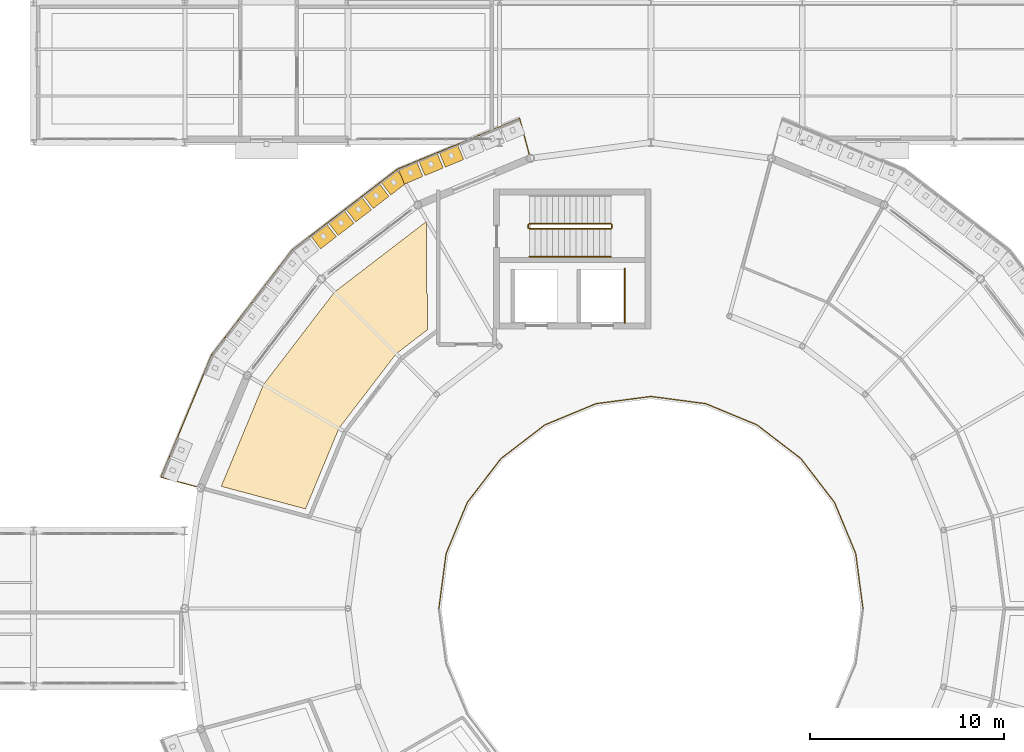
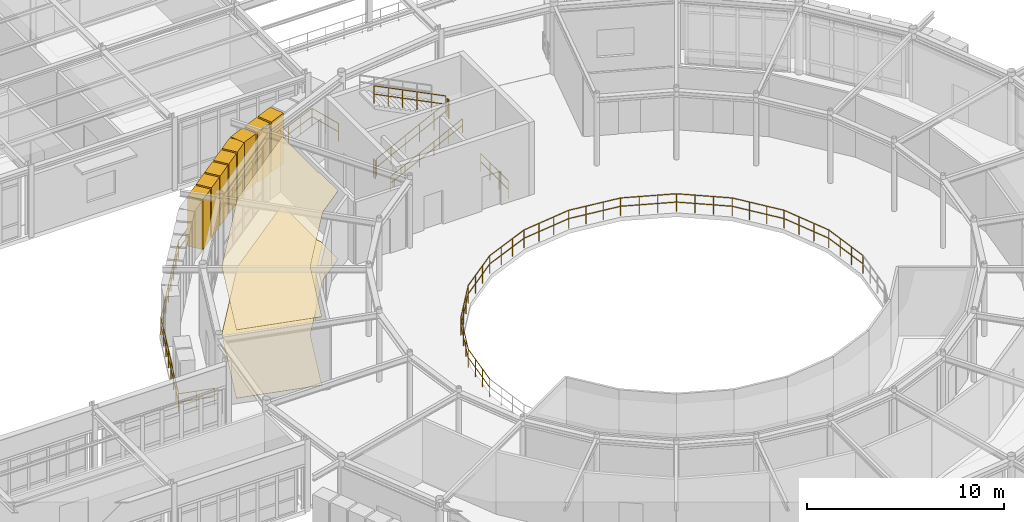
# One storey, part 102 of 106: 8 railings, 8 shading devices, 2 coverings.
"""IFC4 building model written with IfcOpenShell, lengths in metres."""

from ifc_helpers import new_model, si_unit, derived_unit, direction, frame, origin, origin_2d, place, context, subcontext, project, spatial, polyline, rectangle, circle, outline, extrude, material, layer, layer_set, type_object, element, save


model = new_model("IFC4")

# Units and contexts
model_context = context("Model", 3, precision=1e-05, world=origin(), true_north=direction((0.0, 1.0)))
body_context = subcontext(model_context, "Body", "Model", "MODEL_VIEW")
ifc_project = project(units=[si_unit("LENGTHUNIT", "METRE"), si_unit("AREAUNIT", "SQUARE_METRE"), si_unit("VOLUMEUNIT", "CUBIC_METRE"), si_unit("PLANEANGLEUNIT", "RADIAN"), si_unit("MASSUNIT", "GRAM", prefix="KILO"), derived_unit("THERMALTRANSMITTANCEUNIT", [(si_unit("POWERUNIT", "WATT"), 1), (si_unit("AREAUNIT", "SQUARE_METRE"), -1), (si_unit("THERMODYNAMICTEMPERATUREUNIT", "KELVIN"), -1)])], contexts=[model_context])

# Site, building, storey
site_placement = place(None, origin())
site = spatial("IfcSite", under=ifc_project, at=site_placement, CompositionType="ELEMENT")
building_placement = place(site_placement, origin())
building = spatial("IfcBuilding", under=site, at=building_placement, Name="Yasenodar Specialist Clinic", CompositionType="ELEMENT")
storey_placement = place(building_placement, frame((0.0, 0.0, 4.5)))
storey = spatial("IfcBuildingStorey", under=building, at=storey_placement, Name="L01", CompositionType="ELEMENT", Elevation=4.5)

# Coverings
ifc_material_1 = material(Name="Hygienic Acoustic Mineral-Fibre Ceiling")
ifc_layer_1 = layer(ifc_material_1, 0.02490234375)
ifc_layer_set_1 = layer_set([ifc_layer_1], Name="Hygienic Acoustic Mineral-Fibre Ceiling")
covering_type_1 = type_object("IfcCoveringType", Name="COV-CEIL-AC", PredefinedType="CEILING", material=ifc_layer_set_1)
covering_1_placement = place(storey_placement, frame((0.0, 0.0, 4.22509765625)))
element("IfcCovering", 1, at=covering_1_placement, inside=storey, type_object=covering_type_1, Name="L01 Oncology Infusion Bay Suite North-West Acoustic Ceiling", PredefinedType="CEILING", context=body_context, shape_type="SweptSolid", body=[
    extrude(outline(polyline([(67.873046875, 71.906005859375), (67.85302734375, 71.882080078125), (64.9609375, 68.113037109375), (64.943115234375, 68.087890625), (64.927978515625, 68.06201171875), (64.9150390625, 68.033935546875), (63.214111328125, 63.927978515625), (58.873046875, 65.091064453125), (61.041015625, 70.322998046875), (64.702880859375, 75.096923828125), (69.429931640625, 78.72412109375), (69.429931640625, 75.179931640625), (69.431884765625, 75.14599609375), (69.43701171875, 75.112060546875), (69.445068359375, 75.077880859375), (69.45703125, 75.0458984375), (69.470947265625, 75.014892578125), (69.489013671875, 74.986083984375), (69.5, 74.970947265625), (69.5, 73.160888671875), (67.91796875, 71.947021484375), (67.89404296875, 71.927001953125), (67.873046875, 71.906005859375)])), origin(), (0.0, 0.0, 1.0), 0.02490234375),
])
ifc_material_2 = material(Name="Seamless Epoxy Terrazzo Clinical Flooring")
ifc_layer_2 = layer(ifc_material_2, 0.02001953125)
ifc_layer_set_2 = layer_set([ifc_layer_2], Name="Seamless Epoxy Terrazzo Clinical Flooring")
covering_type_2 = type_object("IfcCoveringType", Name="COV-FLR-TERR", PredefinedType="FLOORING", material=ifc_layer_set_2)
covering_2_placement = place(storey_placement, origin())
element("IfcCovering", 2, at=covering_2_placement, inside=storey, type_object=covering_type_2, Name="L01 Oncology Infusion Bay Suite North-West Terrazzo Flooring", PredefinedType="FLOORING", context=body_context, shape_type="SweptSolid", body=[
    extrude(outline(polyline([(67.873046875, 71.906005859375), (67.85302734375, 71.882080078125), (64.9609375, 68.113037109375), (64.943115234375, 68.087890625), (64.927978515625, 68.06201171875), (64.9150390625, 68.033935546875), (63.214111328125, 63.927978515625), (58.873046875, 65.091064453125), (61.041015625, 70.322998046875), (64.702880859375, 75.096923828125), (69.429931640625, 78.72412109375), (69.429931640625, 75.179931640625), (69.431884765625, 75.14599609375), (69.43701171875, 75.112060546875), (69.445068359375, 75.077880859375), (69.45703125, 75.0458984375), (69.470947265625, 75.014892578125), (69.489013671875, 74.986083984375), (69.5, 74.970947265625), (69.5, 73.160888671875), (67.91796875, 71.947021484375), (67.89404296875, 71.927001953125), (67.873046875, 71.906005859375)])), origin(), (0.0, 0.0, 1.0), 0.02001953125),
])

# Railings
ifc_material_3 = material(Name="Bronze Anodized Aluminium and Larch Balustrade", Category="aluminium")
railing_type_1 = type_object("IfcRailingType", Name="RL-BAL-1120", PredefinedType="BALUSTRADE", material=ifc_material_3)
railing_1_placement = place(storey_placement, frame((74.7314453125, 82.194580078125, 0.0)))
element("IfcRailing", 3, at=railing_1_placement, inside=storey, type_object=railing_type_1, Name="L01 Drum V1 Balcony Balustrade 2", PredefinedType="BALUSTRADE", context=body_context, shape_type="SweptSolid", body=[
    extrude(circle(Radius=0.02392578125, at=origin_2d()), frame((0.0, 0.0, 1.09619140625), z_axis=(-0.258885930111, 0.965907902023, 0.0), x_axis=(-0.965907902023, -0.258885930111, 0.0)), (0.0, 0.0, 1.0), 1.900146484375),
    extrude(circle(Radius=0.02392578125, at=origin_2d()), frame((0.0, 0.0, 0.58251953125), z_axis=(-0.258885930111, 0.965907902023, 0.0), x_axis=(-0.965907902023, -0.258885930111, 0.0)), (0.0, 0.0, 1.0), 1.900146484375),
    extrude(circle(Radius=0.02392578125, at=origin_2d()), frame((-0.491943359375, 1.83544921875, 1.09619140625), z_axis=(-0.923878931839, -0.382684882513, 0.0), x_axis=(0.382684882513, -0.923878931839, 0.0)), (0.0, 0.0, 1.0), 6.818603515625),
    extrude(circle(Radius=0.02392578125, at=origin_2d()), frame((-0.491943359375, 1.83544921875, 0.58251953125), z_axis=(-0.923878931839, -0.382684882513, 0.0), x_axis=(0.382684882513, -0.923878931839, 0.0)), (0.0, 0.0, 1.0), 6.818603515625),
    extrude(circle(Radius=0.02392578125, at=origin_2d()), frame((-6.79150390625, -0.77392578125, 1.09619140625), z_axis=(-0.793330238247, -0.608791534996, 0.0), x_axis=(0.608791534996, -0.793330238247, 0.0)), (0.0, 0.0, 1.0), 6.818603515625),
    extrude(circle(Radius=0.02392578125, at=origin_2d()), frame((-6.79150390625, -0.77392578125, 0.58251953125), z_axis=(-0.793330238247, -0.608791534996, 0.0), x_axis=(0.608791534996, -0.793330238247, 0.0)), (0.0, 0.0, 1.0), 6.818603515625),
    extrude(circle(Radius=0.02392578125, at=origin_2d()), frame((-12.200927734375, -4.925048828125, 1.09619140625), z_axis=(-0.608791534996, -0.793330238247, 0.0), x_axis=(0.793330238247, -0.608791534996, 0.0)), (0.0, 0.0, 1.0), 6.818603515625),
    extrude(circle(Radius=0.02392578125, at=origin_2d()), frame((-12.200927734375, -4.925048828125, 0.58251953125), z_axis=(-0.608791534996, -0.793330238247, 0.0), x_axis=(0.793330238247, -0.608791534996, 0.0)), (0.0, 0.0, 1.0), 6.818603515625),
    extrude(circle(Radius=0.02392578125, at=origin_2d()), frame((-16.35205078125, -10.33447265625, 1.09619140625), z_axis=(-0.382672223843, -0.923884175154, 0.0), x_axis=(0.923884175154, -0.382672223843, 0.0)), (0.0, 0.0, 1.0), 6.81884765625),
    extrude(circle(Radius=0.02392578125, at=origin_2d()), frame((-16.35205078125, -10.33447265625, 0.58251953125), z_axis=(-0.382672223843, -0.923884175154, 0.0), x_axis=(0.923884175154, -0.382672223843, 0.0)), (0.0, 0.0, 1.0), 6.81884765625),
    extrude(circle(Radius=0.02392578125, at=origin_2d()), frame((-18.96142578125, -16.63427734375, 1.09619140625), z_axis=(0.96593141835, -0.258798174346, 0.0), x_axis=(0.258798174346, 0.96593141835, 0.0)), (0.0, 0.0, 1.0), 1.89990234375),
    extrude(circle(Radius=0.02392578125, at=origin_2d()), frame((-18.96142578125, -16.63427734375, 0.58251953125), z_axis=(0.96593141835, -0.258798174346, 0.0), x_axis=(0.258798174346, 0.96593141835, 0.0)), (0.0, 0.0, 1.0), 1.89990234375),
    extrude(circle(Radius=0.02099609375, at=origin_2d()), origin(), (0.0, 0.0, 1.0), 1.072021484375),
    extrude(circle(Radius=0.02099609375, at=origin_2d()), frame((-0.24609375, 0.917724609375, 0.0)), (0.0, 0.0, 1.0), 1.072021484375),
    extrude(circle(Radius=0.02099609375, at=origin_2d()), frame((-0.491943359375, 1.83544921875, 0.0)), (0.0, 0.0, 1.0), 1.072021484375),
    extrude(circle(Radius=0.02099609375, at=origin_2d()), frame((-1.391845703125, 1.462646484375, 0.0)), (0.0, 0.0, 1.0), 1.072021484375),
    extrude(circle(Radius=0.02099609375, at=origin_2d()), frame((-2.291748046875, 1.08984375, 0.0)), (0.0, 0.0, 1.0), 1.072021484375),
    extrude(circle(Radius=0.02099609375, at=origin_2d()), frame((-3.191650390625, 0.717041015625, 0.0)), (0.0, 0.0, 1.0), 1.072021484375),
    extrude(circle(Radius=0.02099609375, at=origin_2d()), frame((-4.091796875, 0.344482421875, 0.0)), (0.0, 0.0, 1.0), 1.072021484375),
    extrude(circle(Radius=0.02099609375, at=origin_2d()), frame((-4.99169921875, -0.0283203125, 0.0)), (0.0, 0.0, 1.0), 1.072021484375),
    extrude(circle(Radius=0.02099609375, at=origin_2d()), frame((-5.8916015625, -0.401123046875, 0.0)), (0.0, 0.0, 1.0), 1.072021484375),
    extrude(circle(Radius=0.02099609375, at=origin_2d()), frame((-6.79150390625, -0.77392578125, 0.0)), (0.0, 0.0, 1.0), 1.072021484375),
    extrude(circle(Radius=0.02099609375, at=origin_2d()), frame((-7.564208984375, -1.366943359375, 0.0)), (0.0, 0.0, 1.0), 1.072021484375),
    extrude(circle(Radius=0.02099609375, at=origin_2d()), frame((-8.337158203125, -1.9599609375, 0.0)), (0.0, 0.0, 1.0), 1.072021484375),
    extrude(circle(Radius=0.02099609375, at=origin_2d()), frame((-9.10986328125, -2.552978515625, 0.0)), (0.0, 0.0, 1.0), 1.072021484375),
    extrude(circle(Radius=0.02099609375, at=origin_2d()), frame((-9.882568359375, -3.14599609375, 0.0)), (0.0, 0.0, 1.0), 1.072021484375),
    extrude(circle(Radius=0.02099609375, at=origin_2d()), frame((-10.6552734375, -3.739013671875, 0.0)), (0.0, 0.0, 1.0), 1.072021484375),
    extrude(circle(Radius=0.02099609375, at=origin_2d()), frame((-11.42822265625, -4.33203125, 0.0)), (0.0, 0.0, 1.0), 1.072021484375),
    extrude(circle(Radius=0.02099609375, at=origin_2d()), frame((-12.200927734375, -4.925048828125, 0.0)), (0.0, 0.0, 1.0), 1.072021484375),
    extrude(circle(Radius=0.02099609375, at=origin_2d()), frame((-12.7939453125, -5.69775390625, 0.0)), (0.0, 0.0, 1.0), 1.072021484375),
    extrude(circle(Radius=0.02099609375, at=origin_2d()), frame((-13.386962890625, -6.470703125, 0.0)), (0.0, 0.0, 1.0), 1.072021484375),
    extrude(circle(Radius=0.02099609375, at=origin_2d()), frame((-13.97998046875, -7.243408203125, 0.0)), (0.0, 0.0, 1.0), 1.072021484375),
    extrude(circle(Radius=0.02099609375, at=origin_2d()), frame((-14.572998046875, -8.01611328125, 0.0)), (0.0, 0.0, 1.0), 1.072021484375),
    extrude(circle(Radius=0.02099609375, at=origin_2d()), frame((-15.166015625, -8.788818359375, 0.0)), (0.0, 0.0, 1.0), 1.072021484375),
    extrude(circle(Radius=0.02099609375, at=origin_2d()), frame((-15.759033203125, -9.561767578125, 0.0)), (0.0, 0.0, 1.0), 1.072021484375),
    extrude(circle(Radius=0.02099609375, at=origin_2d()), frame((-16.35205078125, -10.33447265625, 0.0)), (0.0, 0.0, 1.0), 1.072021484375),
    extrude(circle(Radius=0.02099609375, at=origin_2d()), frame((-16.724853515625, -11.234375, 0.0)), (0.0, 0.0, 1.0), 1.072021484375),
    extrude(circle(Radius=0.02099609375, at=origin_2d()), frame((-17.09765625, -12.134521484375, 0.0)), (0.0, 0.0, 1.0), 1.072021484375),
    extrude(circle(Radius=0.02099609375, at=origin_2d()), frame((-17.470458984375, -13.034423828125, 0.0)), (0.0, 0.0, 1.0), 1.072021484375),
    extrude(circle(Radius=0.02099609375, at=origin_2d()), frame((-17.843017578125, -13.934326171875, 0.0)), (0.0, 0.0, 1.0), 1.072021484375),
    extrude(circle(Radius=0.02099609375, at=origin_2d()), frame((-18.2158203125, -14.834228515625, 0.0)), (0.0, 0.0, 1.0), 1.072021484375),
    extrude(circle(Radius=0.02099609375, at=origin_2d()), frame((-18.588623046875, -15.734375, 0.0)), (0.0, 0.0, 1.0), 1.072021484375),
    extrude(circle(Radius=0.02099609375, at=origin_2d()), frame((-18.96142578125, -16.63427734375, 0.0)), (0.0, 0.0, 1.0), 1.072021484375),
    extrude(circle(Radius=0.02099609375, at=origin_2d()), frame((-18.0439453125, -16.880126953125, 0.0)), (0.0, 0.0, 1.0), 1.072021484375),
    extrude(circle(Radius=0.02099609375, at=origin_2d()), frame((-17.126220703125, -17.1259765625, 0.0)), (0.0, 0.0, 1.0), 1.072021484375),
])
ifc_material_4 = material(Name="Steel S355 Painted Guardrail", Category="steel")
railing_type_2 = type_object("IfcRailingType", Name="RL-GRD-1120", PredefinedType="GUARDRAIL", material=ifc_material_4)
railing_2_placement = place(storey_placement, frame((79.64990234375, 73.5, 0.0)))
element("IfcRailing", 4, at=railing_2_placement, inside=storey, type_object=railing_type_2, Name="L01 Core C3 Lift LF-07 Shaft Guardrail", PredefinedType="GUARDRAIL", context=body_context, shape_type="SweptSolid", body=[
    extrude(circle(Radius=0.02392578125, at=origin_2d()), frame((0.0, 0.0, 1.09619140625), z_axis=(0.0, 1.0, 0.0), x_axis=(-1.0, 0.0, 0.0)), (0.0, 0.0, 1.0), 2.800048828125),
    extrude(circle(Radius=0.02392578125, at=origin_2d()), frame((0.0, 0.0, 0.58251953125), z_axis=(0.0, 1.0, 0.0), x_axis=(-1.0, 0.0, 0.0)), (0.0, 0.0, 1.0), 2.800048828125),
    extrude(circle(Radius=0.02099609375, at=origin_2d()), origin(), (0.0, 0.0, 1.0), 1.072021484375),
    extrude(circle(Radius=0.02099609375, at=origin_2d()), frame((0.0, 0.933349609375, 0.0)), (0.0, 0.0, 1.0), 1.072021484375),
    extrude(circle(Radius=0.02099609375, at=origin_2d()), frame((0.0, 1.86669921875, 0.0)), (0.0, 0.0, 1.0), 1.072021484375),
    extrude(circle(Radius=0.02099609375, at=origin_2d()), frame((0.0, 2.800048828125, 0.0)), (0.0, 0.0, 1.0), 1.072021484375),
])
ifc_material_5 = material(Name="Steel S355 Painted Stair Guardrail", Category="steel")
railing_type_3 = type_object("IfcRailingType", Name="RL-ST-GRD", PredefinedType="GUARDRAIL", material=ifc_material_5)
railing_3_placement = place(storey_placement, frame((74.739990234375, 78.35009765625, 0.14990234375)))
element("IfcRailing", 5, at=railing_3_placement, inside=storey, type_object=railing_type_3, Name="L01 ST-03 stair guard 1", PredefinedType="GUARDRAIL", context=body_context, shape_type="SweptSolid", body=[
    extrude(circle(Radius=0.02392578125, at=origin_2d()), frame((0.0, 0.0, 1.09619140625), z_axis=(0.894416792377, 0.0, 0.447234392142), x_axis=(0.0, 1.0, 0.0)), (0.0, 0.0, 1.0), 4.69580078125),
    extrude(circle(Radius=0.02392578125, at=origin_2d()), frame((0.0, 0.0, 0.58251953125), z_axis=(0.894416792377, 0.0, 0.447234392142), x_axis=(0.0, 1.0, 0.0)), (0.0, 0.0, 1.0), 4.69580078125),
    extrude(circle(Radius=0.02099609375, at=origin_2d()), origin(), (0.0, 0.0, 1.0), 1.072021484375),
    extrude(circle(Radius=0.02099609375, at=origin_2d()), frame((0.840087890625, 0.0, 0.419921875)), (0.0, 0.0, 1.0), 1.072021484375),
    extrude(circle(Radius=0.02099609375, at=origin_2d()), frame((1.679931640625, 0.0, 0.840087890625)), (0.0, 0.0, 1.0), 1.072021484375),
    extrude(circle(Radius=0.02099609375, at=origin_2d()), frame((2.52001953125, 0.0, 1.260009765625)), (0.0, 0.0, 1.0), 1.072021484375),
    extrude(circle(Radius=0.02099609375, at=origin_2d()), frame((3.35986328125, 0.0, 1.68017578125)), (0.0, 0.0, 1.0), 1.072021484375),
    extrude(circle(Radius=0.02099609375, at=origin_2d()), frame((4.199951171875, 0.0, 2.10009765625)), (0.0, 0.0, 1.0), 1.072021484375),
])
railing_4_placement = place(storey_placement, frame((78.989990234375, 78.39990234375, 2.25)))
element("IfcRailing", 6, at=railing_4_placement, inside=storey, type_object=railing_type_3, Name="L01 ST-03 stair guard 2", PredefinedType="GUARDRAIL", context=body_context, shape_type="SweptSolid", body=[
    extrude(circle(Radius=0.02392578125, at=origin_2d()), frame((0.0, 0.0, 1.09619140625), z_axis=(0.0, 1.0, 0.0), x_axis=(-1.0, 0.0, 0.0)), (0.0, 0.0, 1.0), 0.170166015625),
    extrude(circle(Radius=0.02392578125, at=origin_2d()), frame((0.0, 0.0, 0.58251953125), z_axis=(0.0, 1.0, 0.0), x_axis=(-1.0, 0.0, 0.0)), (0.0, 0.0, 1.0), 0.170166015625),
    extrude(circle(Radius=0.02099609375, at=origin_2d()), origin(), (0.0, 0.0, 1.0), 1.072021484375),
    extrude(circle(Radius=0.02099609375, at=origin_2d()), frame((0.0, 0.170166015625, 0.0)), (0.0, 0.0, 1.0), 1.072021484375),
])
railing_5_placement = place(storey_placement, frame((78.93994140625, 78.6201171875, 2.39990234375)))
element("IfcRailing", 7, at=railing_5_placement, inside=storey, type_object=railing_type_3, Name="L01 ST-03 stair guard 3", PredefinedType="GUARDRAIL", context=body_context, shape_type="SweptSolid", body=[
    extrude(circle(Radius=0.02392578125, at=origin_2d()), frame((0.0, 0.0, 1.09619140625), z_axis=(-0.894416792377, 0.0, 0.447234392142), x_axis=(0.0, -1.0, 0.0)), (0.0, 0.0, 1.0), 4.69580078125),
    extrude(circle(Radius=0.02392578125, at=origin_2d()), frame((0.0, 0.0, 0.58251953125), z_axis=(-0.894416792377, 0.0, 0.447234392142), x_axis=(0.0, -1.0, 0.0)), (0.0, 0.0, 1.0), 4.69580078125),
    extrude(circle(Radius=0.02099609375, at=origin_2d()), origin(), (0.0, 0.0, 1.0), 1.072021484375),
    extrude(circle(Radius=0.02099609375, at=origin_2d()), frame((-0.840087890625, 0.0, 0.419921875)), (0.0, 0.0, 1.0), 1.072021484375),
    extrude(circle(Radius=0.02099609375, at=origin_2d()), frame((-1.679931640625, 0.0, 0.840087890625)), (0.0, 0.0, 1.0), 1.072021484375),
    extrude(circle(Radius=0.02099609375, at=origin_2d()), frame((-2.52001953125, 0.0, 1.260009765625)), (0.0, 0.0, 1.0), 1.072021484375),
    extrude(circle(Radius=0.02099609375, at=origin_2d()), frame((-3.35986328125, 0.0, 1.68017578125)), (0.0, 0.0, 1.0), 1.072021484375),
    extrude(circle(Radius=0.02099609375, at=origin_2d()), frame((-4.199951171875, 0.0, 2.10009765625)), (0.0, 0.0, 1.0), 1.072021484375),
])
railing_6_placement = place(storey_placement, frame((74.68994140625, 78.39990234375, 0.0)))
element("IfcRailing", 8, at=railing_6_placement, inside=storey, type_object=railing_type_3, Name="L01 ST-03 stair guard 4", PredefinedType="GUARDRAIL", context=body_context, shape_type="SweptSolid", body=[
    extrude(circle(Radius=0.02392578125, at=origin_2d()), frame((0.0, 0.0, 1.09619140625), z_axis=(0.0, 1.0, 0.0), x_axis=(-1.0, 0.0, 0.0)), (0.0, 0.0, 1.0), 0.170166015625),
    extrude(circle(Radius=0.02392578125, at=origin_2d()), frame((0.0, 0.0, 0.58251953125), z_axis=(0.0, 1.0, 0.0), x_axis=(-1.0, 0.0, 0.0)), (0.0, 0.0, 1.0), 0.170166015625),
    extrude(circle(Radius=0.02099609375, at=origin_2d()), origin(), (0.0, 0.0, 1.0), 1.072021484375),
    extrude(circle(Radius=0.02099609375, at=origin_2d()), frame((0.0, 0.170166015625, 0.0)), (0.0, 0.0, 1.0), 1.072021484375),
])
railing_7_placement = place(storey_placement, frame((91.919921875, 58.800048828125, 0.0)))
element("IfcRailing", 9, at=railing_7_placement, inside=storey, type_object=railing_type_3, Name="L01 Drum V1 Central Atrium North Guardrail", PredefinedType="GUARDRAIL", context=body_context, shape_type="SweptSolid", body=[
    extrude(circle(Radius=0.02392578125, at=origin_2d()), frame((0.0, 0.0, 1.09619140625), z_axis=(-0.130525408261, 0.991444964584, 0.0), x_axis=(-0.991444964584, -0.130525408261, 0.0)), (0.0, 0.0, 1.0), 2.8505859375),
    extrude(circle(Radius=0.02392578125, at=origin_2d()), frame((0.0, 0.0, 0.58251953125), z_axis=(-0.130525408261, 0.991444964584, 0.0), x_axis=(-0.991444964584, -0.130525408261, 0.0)), (0.0, 0.0, 1.0), 2.8505859375),
    extrude(circle(Radius=0.02392578125, at=origin_2d()), frame((-0.3720703125, 2.826171875, 1.09619140625), z_axis=(-0.382644257355, 0.923895758359, 0.0), x_axis=(-0.923895758359, -0.382644257355, 0.0)), (0.0, 0.0, 1.0), 2.850830078125),
    extrude(circle(Radius=0.02392578125, at=origin_2d()), frame((-0.3720703125, 2.826171875, 0.58251953125), z_axis=(-0.382644257355, 0.923895758359, 0.0), x_axis=(-0.923895758359, -0.382644257355, 0.0)), (0.0, 0.0, 1.0), 2.850830078125),
    extrude(circle(Radius=0.02392578125, at=origin_2d()), frame((-1.462890625, 5.4599609375, 1.09619140625), z_axis=(-0.608774911541, 0.793342994598, 0.0), x_axis=(-0.793342994598, -0.608774911541, 0.0)), (0.0, 0.0, 1.0), 2.8505859375),
    extrude(circle(Radius=0.02392578125, at=origin_2d()), frame((-1.462890625, 5.4599609375, 0.58251953125), z_axis=(-0.608774911541, 0.793342994598, 0.0), x_axis=(-0.793342994598, -0.608774911541, 0.0)), (0.0, 0.0, 1.0), 2.8505859375),
    extrude(circle(Radius=0.02392578125, at=origin_2d()), frame((-3.1982421875, 7.721435546875, 1.09619140625), z_axis=(-0.793333372385, 0.608787450808, 0.0), x_axis=(-0.608787450808, -0.793333372385, 0.0)), (0.0, 0.0, 1.0), 2.850830078125),
    extrude(circle(Radius=0.02392578125, at=origin_2d()), frame((-3.1982421875, 7.721435546875, 0.58251953125), z_axis=(-0.793333372385, 0.608787450808, 0.0), x_axis=(-0.608787450808, -0.793333372385, 0.0)), (0.0, 0.0, 1.0), 2.850830078125),
    extrude(circle(Radius=0.02392578125, at=origin_2d()), frame((-5.4599609375, 9.45703125, 1.09619140625), z_axis=(-0.923883217595, 0.382674535665, 0.0), x_axis=(-0.382674535665, -0.923883217595, 0.0)), (0.0, 0.0, 1.0), 2.8505859375),
    extrude(circle(Radius=0.02392578125, at=origin_2d()), frame((-5.4599609375, 9.45703125, 0.58251953125), z_axis=(-0.923883217595, 0.382674535665, 0.0), x_axis=(-0.382674535665, -0.923883217595, 0.0)), (0.0, 0.0, 1.0), 2.8505859375),
    extrude(circle(Radius=0.02392578125, at=origin_2d()), frame((-8.093505859375, 10.5478515625, 1.09619140625), z_axis=(-0.991446423549, 0.130514325774, 0.0), x_axis=(-0.130514325774, -0.991446423549, 0.0)), (0.0, 0.0, 1.0), 2.850830078125),
    extrude(circle(Radius=0.02392578125, at=origin_2d()), frame((-8.093505859375, 10.5478515625, 0.58251953125), z_axis=(-0.991446423549, 0.130514325774, 0.0), x_axis=(-0.130514325774, -0.991446423549, 0.0)), (0.0, 0.0, 1.0), 2.850830078125),
    extrude(circle(Radius=0.02392578125, at=origin_2d()), frame((-10.919921875, 10.919921875, 1.09619140625), z_axis=(-0.991446423549, -0.130514325774, 0.0), x_axis=(0.130514325774, -0.991446423549, 0.0)), (0.0, 0.0, 1.0), 2.850830078125),
    extrude(circle(Radius=0.02392578125, at=origin_2d()), frame((-10.919921875, 10.919921875, 0.58251953125), z_axis=(-0.991446423549, -0.130514325774, 0.0), x_axis=(0.130514325774, -0.991446423549, 0.0)), (0.0, 0.0, 1.0), 2.850830078125),
    extrude(circle(Radius=0.02392578125, at=origin_2d()), frame((-13.746337890625, 10.5478515625, 1.09619140625), z_axis=(-0.923883217595, -0.382674535665, 0.0), x_axis=(0.382674535665, -0.923883217595, 0.0)), (0.0, 0.0, 1.0), 2.8505859375),
    extrude(circle(Radius=0.02392578125, at=origin_2d()), frame((-13.746337890625, 10.5478515625, 0.58251953125), z_axis=(-0.923883217595, -0.382674535665, 0.0), x_axis=(0.382674535665, -0.923883217595, 0.0)), (0.0, 0.0, 1.0), 2.8505859375),
    extrude(circle(Radius=0.02392578125, at=origin_2d()), frame((-16.3798828125, 9.45703125, 1.09619140625), z_axis=(-0.793333372385, -0.608787450808, 0.0), x_axis=(0.608787450808, -0.793333372385, 0.0)), (0.0, 0.0, 1.0), 2.850830078125),
    extrude(circle(Radius=0.02392578125, at=origin_2d()), frame((-16.3798828125, 9.45703125, 0.58251953125), z_axis=(-0.793333372385, -0.608787450808, 0.0), x_axis=(0.608787450808, -0.793333372385, 0.0)), (0.0, 0.0, 1.0), 2.850830078125),
    extrude(circle(Radius=0.02392578125, at=origin_2d()), frame((-18.6416015625, 7.721435546875, 1.09619140625), z_axis=(-0.608774911541, -0.793342994598, 0.0), x_axis=(0.793342994598, -0.608774911541, 0.0)), (0.0, 0.0, 1.0), 2.8505859375),
    extrude(circle(Radius=0.02392578125, at=origin_2d()), frame((-18.6416015625, 7.721435546875, 0.58251953125), z_axis=(-0.608774911541, -0.793342994598, 0.0), x_axis=(0.793342994598, -0.608774911541, 0.0)), (0.0, 0.0, 1.0), 2.8505859375),
    extrude(circle(Radius=0.02392578125, at=origin_2d()), frame((-20.376953125, 5.4599609375, 1.09619140625), z_axis=(-0.382644257355, -0.923895758359, 0.0), x_axis=(0.923895758359, -0.382644257355, 0.0)), (0.0, 0.0, 1.0), 2.850830078125),
    extrude(circle(Radius=0.02392578125, at=origin_2d()), frame((-20.376953125, 5.4599609375, 0.58251953125), z_axis=(-0.382644257355, -0.923895758359, 0.0), x_axis=(0.923895758359, -0.382644257355, 0.0)), (0.0, 0.0, 1.0), 2.850830078125),
    extrude(circle(Radius=0.02392578125, at=origin_2d()), frame((-21.4677734375, 2.826171875, 1.09619140625), z_axis=(-0.130525408261, -0.991444964584, 0.0), x_axis=(0.991444964584, -0.130525408261, 0.0)), (0.0, 0.0, 1.0), 2.8505859375),
    extrude(circle(Radius=0.02392578125, at=origin_2d()), frame((-21.4677734375, 2.826171875, 0.58251953125), z_axis=(-0.130525408261, -0.991444964584, 0.0), x_axis=(0.991444964584, -0.130525408261, 0.0)), (0.0, 0.0, 1.0), 2.8505859375),
    extrude(circle(Radius=0.02099609375, at=origin_2d()), origin(), (0.0, 0.0, 1.0), 1.072021484375),
    extrude(circle(Radius=0.02099609375, at=origin_2d()), frame((-0.1240234375, 0.942138671875, 0.0)), (0.0, 0.0, 1.0), 1.072021484375),
    extrude(circle(Radius=0.02099609375, at=origin_2d()), frame((-0.248046875, 1.884033203125, 0.0)), (0.0, 0.0, 1.0), 1.072021484375),
    extrude(circle(Radius=0.02099609375, at=origin_2d()), frame((-0.3720703125, 2.826171875, 0.0)), (0.0, 0.0, 1.0), 1.072021484375),
    extrude(circle(Radius=0.02099609375, at=origin_2d()), frame((-0.735595703125, 3.7041015625, 0.0)), (0.0, 0.0, 1.0), 1.072021484375),
    extrude(circle(Radius=0.02099609375, at=origin_2d()), frame((-1.099365234375, 4.58203125, 0.0)), (0.0, 0.0, 1.0), 1.072021484375),
    extrude(circle(Radius=0.02099609375, at=origin_2d()), frame((-1.462890625, 5.4599609375, 0.0)), (0.0, 0.0, 1.0), 1.072021484375),
    extrude(circle(Radius=0.02099609375, at=origin_2d()), frame((-2.041259765625, 6.2138671875, 0.0)), (0.0, 0.0, 1.0), 1.072021484375),
    extrude(circle(Radius=0.02099609375, at=origin_2d()), frame((-2.619873046875, 6.967529296875, 0.0)), (0.0, 0.0, 1.0), 1.072021484375),
    extrude(circle(Radius=0.02099609375, at=origin_2d()), frame((-3.1982421875, 7.721435546875, 0.0)), (0.0, 0.0, 1.0), 1.072021484375),
    extrude(circle(Radius=0.02099609375, at=origin_2d()), frame((-3.9521484375, 8.300048828125, 0.0)), (0.0, 0.0, 1.0), 1.072021484375),
    extrude(circle(Radius=0.02099609375, at=origin_2d()), frame((-4.7060546875, 8.87841796875, 0.0)), (0.0, 0.0, 1.0), 1.072021484375),
    extrude(circle(Radius=0.02099609375, at=origin_2d()), frame((-5.4599609375, 9.45703125, 0.0)), (0.0, 0.0, 1.0), 1.072021484375),
    extrude(circle(Radius=0.02099609375, at=origin_2d()), frame((-6.337890625, 9.820556640625, 0.0)), (0.0, 0.0, 1.0), 1.072021484375),
    extrude(circle(Radius=0.02099609375, at=origin_2d()), frame((-7.215576171875, 10.184326171875, 0.0)), (0.0, 0.0, 1.0), 1.072021484375),
    extrude(circle(Radius=0.02099609375, at=origin_2d()), frame((-8.093505859375, 10.5478515625, 0.0)), (0.0, 0.0, 1.0), 1.072021484375),
    extrude(circle(Radius=0.02099609375, at=origin_2d()), frame((-9.03564453125, 10.671875, 0.0)), (0.0, 0.0, 1.0), 1.072021484375),
    extrude(circle(Radius=0.02099609375, at=origin_2d()), frame((-9.977783203125, 10.7958984375, 0.0)), (0.0, 0.0, 1.0), 1.072021484375),
    extrude(circle(Radius=0.02099609375, at=origin_2d()), frame((-10.919921875, 10.919921875, 0.0)), (0.0, 0.0, 1.0), 1.072021484375),
    extrude(circle(Radius=0.02099609375, at=origin_2d()), frame((-11.862060546875, 10.7958984375, 0.0)), (0.0, 0.0, 1.0), 1.072021484375),
    extrude(circle(Radius=0.02099609375, at=origin_2d()), frame((-12.80419921875, 10.671875, 0.0)), (0.0, 0.0, 1.0), 1.072021484375),
    extrude(circle(Radius=0.02099609375, at=origin_2d()), frame((-13.746337890625, 10.5478515625, 0.0)), (0.0, 0.0, 1.0), 1.072021484375),
    extrude(circle(Radius=0.02099609375, at=origin_2d()), frame((-14.624267578125, 10.184326171875, 0.0)), (0.0, 0.0, 1.0), 1.072021484375),
    extrude(circle(Radius=0.02099609375, at=origin_2d()), frame((-15.501953125, 9.820556640625, 0.0)), (0.0, 0.0, 1.0), 1.072021484375),
    extrude(circle(Radius=0.02099609375, at=origin_2d()), frame((-16.3798828125, 9.45703125, 0.0)), (0.0, 0.0, 1.0), 1.072021484375),
    extrude(circle(Radius=0.02099609375, at=origin_2d()), frame((-17.1337890625, 8.87841796875, 0.0)), (0.0, 0.0, 1.0), 1.072021484375),
    extrude(circle(Radius=0.02099609375, at=origin_2d()), frame((-17.8876953125, 8.300048828125, 0.0)), (0.0, 0.0, 1.0), 1.072021484375),
    extrude(circle(Radius=0.02099609375, at=origin_2d()), frame((-18.6416015625, 7.721435546875, 0.0)), (0.0, 0.0, 1.0), 1.072021484375),
    extrude(circle(Radius=0.02099609375, at=origin_2d()), frame((-19.219970703125, 6.967529296875, 0.0)), (0.0, 0.0, 1.0), 1.072021484375),
    extrude(circle(Radius=0.02099609375, at=origin_2d()), frame((-19.798583984375, 6.2138671875, 0.0)), (0.0, 0.0, 1.0), 1.072021484375),
    extrude(circle(Radius=0.02099609375, at=origin_2d()), frame((-20.376953125, 5.4599609375, 0.0)), (0.0, 0.0, 1.0), 1.072021484375),
    extrude(circle(Radius=0.02099609375, at=origin_2d()), frame((-20.740478515625, 4.58203125, 0.0)), (0.0, 0.0, 1.0), 1.072021484375),
    extrude(circle(Radius=0.02099609375, at=origin_2d()), frame((-21.104248046875, 3.7041015625, 0.0)), (0.0, 0.0, 1.0), 1.072021484375),
    extrude(circle(Radius=0.02099609375, at=origin_2d()), frame((-21.4677734375, 2.826171875, 0.0)), (0.0, 0.0, 1.0), 1.072021484375),
    extrude(circle(Radius=0.02099609375, at=origin_2d()), frame((-21.591796875, 1.884033203125, 0.0)), (0.0, 0.0, 1.0), 1.072021484375),
    extrude(circle(Radius=0.02099609375, at=origin_2d()), frame((-21.7158203125, 0.942138671875, 0.0)), (0.0, 0.0, 1.0), 1.072021484375),
    extrude(circle(Radius=0.02099609375, at=origin_2d()), frame((-21.83984375, 0.0, 0.0)), (0.0, 0.0, 1.0), 1.072021484375),
])
ifc_material_6 = material(Name="Brushed Stainless Steel Handrail", Category="steel")
railing_type_4 = type_object("IfcRailingType", Name="RL-ST-HND", PredefinedType="HANDRAIL", material=ifc_material_6)
railing_8_placement = place(storey_placement, frame((74.739990234375, 76.909912109375, 0.14990234375)))
element("IfcRailing", 10, at=railing_8_placement, inside=storey, type_object=railing_type_4, Name="L01 ST-03 stair handrail 1", PredefinedType="HANDRAIL", context=body_context, shape_type="SweptSolid", body=[
    extrude(circle(Radius=0.02392578125, at=origin_2d()), frame((0.0, 0.0, 0.8759765625), z_axis=(0.894416792377, 0.0, 0.447234392142), x_axis=(0.0, 1.0, 0.0)), (0.0, 0.0, 1.0), 4.69580078125),
    extrude(circle(Radius=0.02392578125, at=origin_2d()), frame((0.0, 0.0, 0.468017578125), z_axis=(0.894416792377, 0.0, 0.447234392142), x_axis=(0.0, 1.0, 0.0)), (0.0, 0.0, 1.0), 4.69580078125),
    extrude(circle(Radius=0.02099609375, at=origin_2d()), origin(), (0.0, 0.0, 1.0), 0.851806640625),
    extrude(circle(Radius=0.02099609375, at=origin_2d()), frame((0.840087890625, 0.0, 0.419921875)), (0.0, 0.0, 1.0), 0.851806640625),
    extrude(circle(Radius=0.02099609375, at=origin_2d()), frame((1.679931640625, 0.0, 0.840087890625)), (0.0, 0.0, 1.0), 0.851806640625),
    extrude(circle(Radius=0.02099609375, at=origin_2d()), frame((2.52001953125, 0.0, 1.260009765625)), (0.0, 0.0, 1.0), 0.851806640625),
    extrude(circle(Radius=0.02099609375, at=origin_2d()), frame((3.35986328125, 0.0, 1.68017578125)), (0.0, 0.0, 1.0), 0.851806640625),
    extrude(circle(Radius=0.02099609375, at=origin_2d()), frame((4.199951171875, 0.0, 2.10009765625)), (0.0, 0.0, 1.0), 0.851806640625),
])

# Shading devices
ifc_material_7 = material(Name="Thermally Modified Larch and Bronze Girih Jali Shutter")
shading_device_type = type_object("IfcShadingDeviceType", Name="SHD-JALI-850", PredefinedType="SHUTTER", material=ifc_material_7)
for number, where, z_axis, x_axis, name in (
    (11, (70.72412109375, 82.118408203125, -0.005126953125), (0.0, 0.0, 1.0), (-0.923878192594, -0.382686667195, 0.0), "L01 Mughal Girih Jali Sliding Shutter Frame 0031"),
    (12, (69.671142578125, 81.682373046875, -0.005126953125), (0.0, 0.0, 1.0), (-0.923878192594, -0.382686667195, 0.0), "L01 Mughal Girih Jali Sliding Shutter Frame 0032"),
    (13, (68.617919921875, 81.24609375, -0.005126953125), (0.0, 0.0, 1.0), (-0.923878192594, -0.382686667195, 0.0), "L01 Mughal Girih Jali Sliding Shutter Frame 0033"),
    (14, (67.752197265625, 80.74609375, -0.005126953125), (0.0, 0.0, 1.0), (-0.793351200869, -0.608764217148, 0.0), "L01 Mughal Girih Jali Sliding Shutter Frame 0034"),
    (15, (66.847900390625, 80.05224609375, -0.005126953125), (0.0, 0.0, 1.0), (-0.793351200869, -0.608764217148, 0.0), "L01 Mughal Girih Jali Sliding Shutter Frame 0035"),
    (16, (65.943603515625, 79.3583984375, -0.005126953125), (0.0, 0.0, 1.0), (-0.793351200869, -0.608764217148, 0.0), "L01 Mughal Girih Jali Sliding Shutter Frame 0036"),
    (17, (65.0390625, 78.664306640625, -0.005126953125), (0.0, 0.0, 1.0), (-0.793351200869, -0.608764217148, 0.0), "L01 Mughal Girih Jali Sliding Shutter Frame 0037"),
    (18, (64.134765625, 77.970458984375, -0.005126953125), (0.0, 0.0, 1.0), (-0.793351200869, -0.608764217148, 0.0), "L01 Mughal Girih Jali Sliding Shutter Frame 0038"),
):
    element("IfcShadingDevice", number, at=place(storey_placement, frame(where, z_axis=z_axis, x_axis=x_axis)), inside=storey, type_object=shading_device_type, Name=name, PredefinedType="SHUTTER", context=body_context, shape_type="SweptSolid", body=[
        extrude(rectangle(XDim=1.02001953125, YDim=0.85009765625, at=origin_2d()), origin(), (0.0, 0.0, 1.0), 3.10009765625),
    ])

save(model, "model.ifc")
